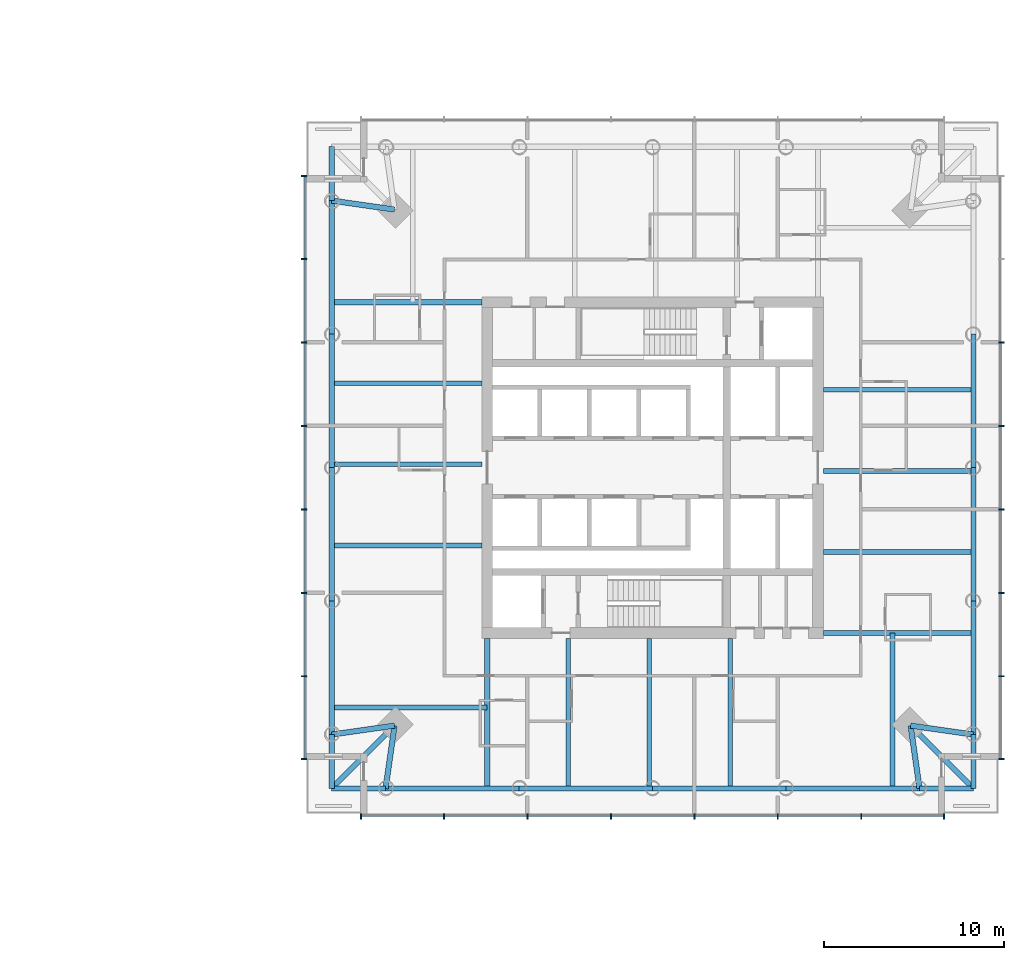
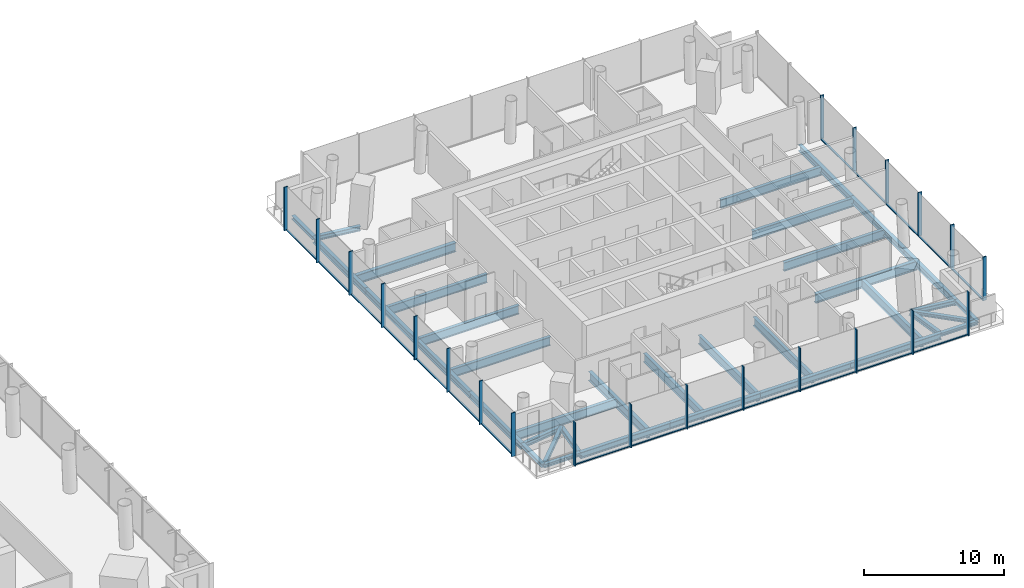
# One storey, part 6 of 21: 41 members, 37 beams, 3 elements without a shape of their own.
"""IFC4 building model written with IfcOpenShell, lengths in metres."""

import ifcopenshell
import ifcopenshell.guid

model = None  # the IFC model being written
_history = None  # IfcOwnerHistory: only IFC2X3 demands one
_inside = {}  # id of a spatial element -> (the spatial element, [elements in it])
_under = {}  # id of a project, library or spatial element -> (it, [spatial elements below it])
_declared = {}  # id of a project -> (the project, [libraries it declares])
_typed = {}  # id of a type object -> (the type object, [elements of that type])
_made_of = {}  # id of a material, layer set ... -> (it, [elements and type objects made of it])


def new_model(schema):
    """Start an empty IFC model of exactly this schema.

    Asked for "IFC4X3", IfcOpenShell would pick the latest addendum, in which some entities
    have other attributes; the version numbers below select the first issue.
    IFC2X3 requires an IfcOwnerHistory on every rooted entity: one is made here for all.
    """
    global model, _history
    if schema == "IFC4X3":
        model = ifcopenshell.file(schema_version=(4, 3, 0, 0))
    else:
        model = ifcopenshell.file(schema=schema)
    _inside.clear()
    _under.clear()
    _declared.clear()
    _typed.clear()
    _made_of.clear()
    _history = None
    if model.schema == "IFC2X3":
        org = make("IfcOrganization", Name="unknown")
        user = make(
            "IfcPersonAndOrganization",
            ThePerson=make("IfcPerson", FamilyName="unknown"),
            TheOrganization=org,
        )
        app = make(
            "IfcApplication",
            ApplicationDeveloper=org,
            Version="unknown",
            ApplicationFullName="unknown",
            ApplicationIdentifier="unknown",
        )
        _history = make(
            "IfcOwnerHistory",
            OwningUser=user,
            OwningApplication=app,
            ChangeAction="ADDED",
            CreationDate=0,
        )
    return model


def make(cls, **values):
    """One entity of the class cls with the attributes given. An attribute that is None is left unset."""
    return model.create_entity(
        cls, **{name: value for name, value in values.items() if value is not None}
    )


def rooted(cls, **values):
    """An entity with a GlobalId (a new one), such as an element, a storey or a relation."""
    return make(cls, GlobalId=ifcopenshell.guid.new(), OwnerHistory=_history, **values)


def si_unit(unit_type, name, prefix=None):
    """IfcSIUnit, for example si_unit("LENGTHUNIT", "METRE", prefix="MILLI")."""
    return make("IfcSIUnit", UnitType=unit_type, Prefix=prefix, Name=name)


def assignment(units):
    """IfcUnitAssignment: the units of a project."""
    return None if units is None else make("IfcUnitAssignment", Units=units)


def point(xyz):
    """IfcCartesianPoint."""
    return None if xyz is None else make("IfcCartesianPoint", Coordinates=xyz)


def direction(xyz):
    """IfcDirection."""
    return None if xyz is None else make("IfcDirection", DirectionRatios=xyz)


def frame(location, z_axis=None, x_axis=None):
    """IfcAxis2Placement3D, a coordinate frame: its origin and axes. An axis left out is left unset."""
    return make(
        "IfcAxis2Placement3D",
        Location=point(location),
        Axis=direction(z_axis),
        RefDirection=direction(x_axis),
    )


def frame_2d(location, x_axis=None):
    """IfcAxis2Placement2D, a coordinate frame in the plane: its origin and x axis."""
    return make(
        "IfcAxis2Placement2D", Location=point(location), RefDirection=direction(x_axis)
    )


def origin():
    """The frame at (0, 0, 0) with its axes left unset."""
    return frame((0.0, 0.0, 0.0))


def origin_2d():
    """The frame at (0, 0) in the plane with its x axis left unset."""
    return frame_2d((0.0, 0.0))


def place(relative_to, where):
    """IfcLocalPlacement: puts the frame where relative to a parent placement (None: the world)."""
    return make(
        "IfcLocalPlacement", PlacementRelTo=relative_to, RelativePlacement=where
    )


def context(
    kind, dimensions, precision=None, world=None, true_north=None, identifier=None
):
    """IfcGeometricRepresentationContext, for example the 3D "Model" context."""
    return make(
        "IfcGeometricRepresentationContext",
        ContextIdentifier=identifier,
        ContextType=kind,
        CoordinateSpaceDimension=dimensions,
        Precision=precision,
        WorldCoordinateSystem=world,
        TrueNorth=true_north,
    )


def subcontext(parent, identifier, kind, view, scale=None):
    """IfcGeometricRepresentationSubContext, for example "Body" below "Model"."""
    return make(
        "IfcGeometricRepresentationSubContext",
        ContextIdentifier=identifier,
        ContextType=kind,
        ParentContext=parent,
        TargetScale=scale,
        TargetView=view,
    )


def project(units=None, contexts=None):
    """IfcProject with its units and contexts."""
    return rooted(
        "IfcProject",
        Name="project",
        RepresentationContexts=contexts,
        UnitsInContext=assignment(units),
    )


def spatial(cls, under=None, at=None, **own):
    """A site, building, storey or space (cls), placed at a placement, below another one or the project."""
    s = rooted(cls, ObjectPlacement=at, **own)
    if under is not None:
        _under.setdefault(under.id(), (under, []))[1].append(s)
    return s


def profile(cls, at=None, kind="AREA", **sizes):
    """A parametric profile (cls). Its sizes go by their IFC names, for example OverallWidth=200.0."""
    return make(cls, ProfileType=kind, Position=at, **sizes)


def rectangle(**sizes):
    """IfcRectangleProfileDef."""
    return profile("IfcRectangleProfileDef", **sizes)


def i_section(**sizes):
    """IfcIShapeProfileDef."""
    return profile("IfcIShapeProfileDef", **sizes)


def extrude(swept, where, along, depth):
    """IfcExtrudedAreaSolid: the profile swept, set in the frame where, extruded along a direction by depth."""
    return make(
        "IfcExtrudedAreaSolid",
        SweptArea=swept,
        Position=where,
        ExtrudedDirection=direction(along),
        Depth=depth,
    )


def shape(context_of_items, identifier, shape_type, items):
    """IfcShapeRepresentation: the items that make up one representation, for example the "Body"."""
    return make(
        "IfcShapeRepresentation",
        ContextOfItems=context_of_items,
        RepresentationIdentifier=identifier,
        RepresentationType=shape_type,
        Items=items,
    )


def material(Name=None, Category=None):
    """IfcMaterial."""
    return make("IfcMaterial", Name=Name, Category=Category)


def material_profile(
    of_material, cross_section, Name=None, Category=None, Priority=None
):
    """IfcMaterialProfile: a cross section and its material."""
    return make(
        "IfcMaterialProfile",
        Name=Name,
        Material=of_material,
        Profile=cross_section,
        Priority=Priority,
        Category=Category,
    )


def profile_set(profiles, Name=None, composite=None):
    """IfcMaterialProfileSet."""
    return make(
        "IfcMaterialProfileSet",
        Name=Name,
        MaterialProfiles=profiles,
        CompositeProfile=composite,
    )


def made_of(thing, what):
    """Note that an element or type object is made of a material, layer set ...; save() writes the relation."""
    if what is not None:
        _made_of.setdefault(what.id(), (what, []))[1].append(thing)
    return thing


def type_object(cls, material=None, **own):
    """A type object (cls), such as IfcWallType, which elements share."""
    return made_of(rooted(cls, **own), material)


def element(
    cls,
    number,
    at=None,
    inside=None,
    cuts=None,
    type_object=None,
    material=None,
    context=None,
    identifier="Body",
    shape_type=None,
    held_by="IfcProductDefinitionShape",
    body=None,
    shapes=None,
    **own,
):
    """One element of the class cls, such as IfcWall. Its Tag is "e" and its number.

    at: its placement. inside: the storey or other place that contains it. cuts: it is an
    opening in that element (IfcRelVoidsElement). A single representation is given by context,
    identifier, shape_type and body (its items); several are given by shapes. held_by: the class
    of the entity that holds the representations. save() writes the other relations.
    """
    e = rooted(cls, Tag="e%d" % number, ObjectPlacement=at, **own)
    if body is not None:
        shapes = [shape(context, identifier, shape_type, body)]
    if shapes is not None:
        e.Representation = make(held_by, Representations=shapes)
    if inside is not None:
        _inside.setdefault(inside.id(), (inside, []))[1].append(e)
    if cuts is not None:
        rooted(
            "IfcRelVoidsElement", RelatingBuildingElement=cuts, RelatedOpeningElement=e
        )
    if type_object is not None:
        _typed.setdefault(type_object.id(), (type_object, []))[1].append(e)
    return made_of(e, material)


def aggregate(whole, parts):
    """IfcRelAggregates: a whole, such as a stair, and the parts it consists of."""
    return rooted("IfcRelAggregates", RelatingObject=whole, RelatedObjects=parts)


def save(model, path):
    """Write the relations noted so far, then the file.

    IfcRelAggregates (storeys below a building ...), IfcRelContainedInSpatialStructure (elements
    in a storey), IfcRelDefinesByType, IfcRelAssociatesMaterial and IfcRelDeclares: one each for
    every whole, place, type object, material and project.
    """
    for whole, parts in _under.values():
        aggregate(whole, parts)
    for where, things in _inside.values():
        rooted(
            "IfcRelContainedInSpatialStructure",
            RelatedElements=things,
            RelatingStructure=where,
        )
    for kind, things in _typed.values():
        rooted("IfcRelDefinesByType", RelatedObjects=things, RelatingType=kind)
    for what, things in _made_of.values():
        rooted("IfcRelAssociatesMaterial", RelatedObjects=things, RelatingMaterial=what)
    for by, libraries in _declared.values():
        rooted("IfcRelDeclares", RelatingContext=by, RelatedDefinitions=libraries)
    model.write(path)


model = new_model("IFC4")

# Units and contexts
model_context = context("Model", 3, precision=1e-05, world=origin(), true_north=direction((0.0, 1.0)))
body_context = subcontext(model_context, "Body", "Model", "MODEL_VIEW")
ifc_project = project(units=[si_unit("LENGTHUNIT", "METRE"), si_unit("AREAUNIT", "SQUARE_METRE"), si_unit("VOLUMEUNIT", "CUBIC_METRE"), si_unit("PLANEANGLEUNIT", "RADIAN"), si_unit("MASSUNIT", "GRAM", prefix="KILO")], contexts=[model_context])

# Site, building, storey
site_placement = place(None, origin())
site = spatial("IfcSite", under=ifc_project, at=site_placement, CompositionType="ELEMENT")
building_placement = place(site_placement, origin())
building = spatial("IfcBuilding", under=site, at=building_placement, Name="Ostroluk Exchange", CompositionType="ELEMENT")
storey_placement = place(building_placement, frame((0.0, 0.0, 47.60009765625)))
storey = spatial("IfcBuildingStorey", under=building, at=storey_placement, Name="L11", CompositionType="ELEMENT", Elevation=47.60009765625)

# Beams
ifc_material_1 = material(Name="Steel S355", Category="steel")
ifc_material_profile_1 = material_profile(ifc_material_1, i_section(OverallWidth=0.300048828125, OverallDepth=0.300048828125, WebThickness=0.010986328125, FlangeThickness=0.01904296875, FilletRadius=0.027099609375, at=origin_2d()), Name="HEB 300")
ifc_profile_set_1 = profile_set([ifc_material_profile_1], Name="Steel S355")
beam_type_1 = type_object("IfcBeamType", Name="Balcony beam HEB 300", PredefinedType="BEAM", material=ifc_profile_set_1)
for number, where, z_axis, x_axis, name in (
    (1, (99.146484375, 60.853515625, -0.35009765625), (0.0, 1.0, 0.0), (-1.0, 0.0, 0.0), "T2 north balcony beam b"),
    (2, (99.146484375, 31.146484375, -0.35009765625), (0.0, -1.0, 0.0), (1.0, 0.0, 0.0), "T2 west balcony beam a"),
    (3, (102.146484375, 28.146484375, -0.35009765625), (-1.0, 0.0, 0.0), (0.0, -1.0, 0.0), "T2 west balcony beam b"),
):
    element("IfcBeam", number, at=place(storey_placement, frame(where, z_axis=z_axis, x_axis=x_axis)), inside=storey, type_object=beam_type_1, Name=name, PredefinedType="BEAM", context=body_context, shape_type="SweptSolid", body=[
        extrude(i_section(OverallWidth=0.300048828125, OverallDepth=0.300048828125, WebThickness=0.010986328125, FlangeThickness=0.01904296875, FilletRadius=0.027099609375, at=origin_2d()), origin(), (0.0, 0.0, 1.0), 3.0),
    ])
beam_1_placement = place(storey_placement, frame((102.646484375, 31.646484375, -0.35009765625), z_axis=(-0.707106781187, -0.707106781187, 0.0), x_axis=(0.707106781187, -0.707106781187, 0.0)))
element("IfcBeam", 4, at=beam_1_placement, inside=storey, type_object=beam_type_1, Name="T2 west balcony beam c", PredefinedType="BEAM", context=body_context, shape_type="SweptSolid", body=[
    extrude(i_section(OverallWidth=0.300048828125, OverallDepth=0.300048828125, WebThickness=0.010986328125, FlangeThickness=0.01904296875, FilletRadius=0.027099609375, at=origin_2d()), origin(), (0.0, 0.0, 1.0), 4.94970703125),
])
for number, where, z_axis, x_axis, name in (
    (5, (131.853515625, 28.146484375, -0.35009765625), (1.0, 0.0, 0.0), (0.0, 1.0, 0.0), "T2 south balcony beam a"),
    (6, (134.853515625, 31.146484375, -0.35009765625), (0.0, -1.0, 0.0), (1.0, 0.0, 0.0), "T2 south balcony beam b"),
):
    element("IfcBeam", number, at=place(storey_placement, frame(where, z_axis=z_axis, x_axis=x_axis)), inside=storey, type_object=beam_type_1, Name=name, PredefinedType="BEAM", context=body_context, shape_type="SweptSolid", body=[
        extrude(i_section(OverallWidth=0.300048828125, OverallDepth=0.300048828125, WebThickness=0.010986328125, FlangeThickness=0.01904296875, FilletRadius=0.027099609375, at=origin_2d()), origin(), (0.0, 0.0, 1.0), 3.0),
    ])
beam_2_placement = place(storey_placement, frame((131.353515625, 31.646484375, -0.35009765625), z_axis=(0.707106781187, -0.707106781187, 0.0), x_axis=(0.707106781187, 0.707106781187, 0.0)))
element("IfcBeam", 7, at=beam_2_placement, inside=storey, type_object=beam_type_1, Name="T2 south balcony beam c", PredefinedType="BEAM", context=body_context, shape_type="SweptSolid", body=[
    extrude(i_section(OverallWidth=0.300048828125, OverallDepth=0.300048828125, WebThickness=0.010986328125, FlangeThickness=0.01904296875, FilletRadius=0.027099609375, at=origin_2d()), origin(), (0.0, 0.0, 1.0), 4.94970703125),
])
ifc_material_2 = material(Name="Steel S355", Category="steel")
ifc_material_profile_2 = material_profile(ifc_material_2, i_section(OverallWidth=0.300048828125, OverallDepth=0.39990234375, WebThickness=0.013427734375, FlangeThickness=0.02392578125, FilletRadius=0.027099609375, at=origin_2d()), Name="HEB 400")
ifc_profile_set_2 = profile_set([ifc_material_profile_2], Name="Steel S355")
beam_type_2 = type_object("IfcBeamType", Name="Corner edge beam HEB 400", PredefinedType="SPANDREL", material=ifc_profile_set_2)
for number, where, z_axis, x_axis, name in (
    (8, (102.646484375, 60.353515625, -0.400146484375), (-0.989949493661, 0.141421356237, 0.0), (-0.141421356237, -0.989949493661, 0.0), "T2 north corner edge beam b"),
    (9, (102.646484375, 31.646484375, -0.400146484375), (-0.989949493661, -0.141421356237, 0.0), (0.141421356237, -0.989949493661, 0.0), "T2 west corner edge beam a"),
    (10, (102.646484375, 31.646484375, -0.400146484375), (-0.141421356237, -0.989949493661, 0.0), (0.989949493661, -0.141421356237, 0.0), "T2 west corner edge beam b"),
    (11, (131.353515625, 31.646484375, -0.400146484375), (0.141421356237, -0.989949493661, 0.0), (0.989949493661, 0.141421356237, 0.0), "T2 south corner edge beam a"),
    (12, (131.353515625, 31.646484375, -0.400146484375), (0.989949493661, -0.141421356237, 0.0), (0.141421356237, 0.989949493661, 0.0), "T2 south corner edge beam b"),
):
    element("IfcBeam", number, at=place(storey_placement, frame(where, z_axis=z_axis, x_axis=x_axis)), inside=storey, type_object=beam_type_2, Name=name, PredefinedType="SPANDREL", context=body_context, shape_type="SweptSolid", body=[
        extrude(i_section(OverallWidth=0.300048828125, OverallDepth=0.39990234375, WebThickness=0.013427734375, FlangeThickness=0.02392578125, FilletRadius=0.027099609375, at=origin_2d()), origin(), (0.0, 0.0, 1.0), 3.53564453125),
    ])
ifc_material_3 = material(Name="Steel S355", Category="steel")
ifc_material_profile_3 = material_profile(ifc_material_3, i_section(OverallWidth=0.264892578125, OverallDepth=0.7529296875, WebThickness=0.01318359375, FlangeThickness=0.01708984375, FilletRadius=0.01708984375, at=origin_2d()), Name="IPE 750x147")
ifc_profile_set_3 = profile_set([ifc_material_profile_3], Name="Steel S355")
beam_type_3 = type_object("IfcBeamType", Name="Floor beam IPE 750x147", PredefinedType="BEAM", material=ifc_profile_set_3)
for number, where, z_axis, x_axis, name in (
    (13, (126.5, 41.308837890625, -0.57666015625), (1.0, 0.0, 0.0), (0.0, 1.0, 0.0), "T2 east floor beam 1"),
    (14, (126.5, 45.81787109375, -0.57666015625), (1.0, 0.0, 0.0), (0.0, 1.0, 0.0), "T2 east floor beam 2"),
    (15, (126.5, 50.32666015625, -0.57666015625), (1.0, 0.0, 0.0), (0.0, 1.0, 0.0), "T2 east floor beam 3"),
    (16, (107.5, 50.691162109375, -0.57666015625), (-1.0, 0.0, 0.0), (0.0, -1.0, 0.0), "T2 west floor beam 1"),
    (17, (107.5, 46.18212890625, -0.57666015625), (-1.0, 0.0, 0.0), (0.0, -1.0, 0.0), "T2 west floor beam 2"),
    (18, (107.5, 41.67333984375, -0.57666015625), (-1.0, 0.0, 0.0), (0.0, -1.0, 0.0), "T2 west floor beam 3"),
):
    element("IfcBeam", number, at=place(storey_placement, frame(where, z_axis=z_axis, x_axis=x_axis)), inside=storey, type_object=beam_type_3, Name=name, PredefinedType="BEAM", context=body_context, shape_type="SweptSolid", body=[
        extrude(i_section(OverallWidth=0.264892578125, OverallDepth=0.7529296875, WebThickness=0.01318359375, FlangeThickness=0.01708984375, FilletRadius=0.01708984375, at=origin_2d()), origin(), (0.0, 0.0, 1.0), 8.353515625),
    ])
beam_3_placement = place(storey_placement, frame((107.800048828125, 32.655517578125, -0.57666015625), z_axis=(-1.0, 0.0, 0.0), x_axis=(0.0, -1.0, 0.0)))
element("IfcBeam", 19, at=beam_3_placement, inside=storey, type_object=beam_type_3, Name="T2 west floor beam 5", PredefinedType="BEAM", context=body_context, shape_type="SweptSolid", body=[
    extrude(i_section(OverallWidth=0.264892578125, OverallDepth=0.7529296875, WebThickness=0.01318359375, FlangeThickness=0.01708984375, FilletRadius=0.01708984375, at=origin_2d()), origin(), (0.0, 0.0, 1.0), 8.653564453125),
])
for number, where, z_axis, x_axis, name in (
    (20, (112.308837890625, 36.5, -0.57666015625), (0.0, -1.0, 0.0), (1.0, 0.0, 0.0), "T2 south floor beam 1"),
    (21, (116.81787109375, 36.5, -0.57666015625), (0.0, -1.0, 0.0), (1.0, 0.0, 0.0), "T2 south floor beam 2"),
    (22, (121.32666015625, 36.5, -0.57666015625), (0.0, -1.0, 0.0), (1.0, 0.0, 0.0), "T2 south floor beam 3"),
):
    element("IfcBeam", number, at=place(storey_placement, frame(where, z_axis=z_axis, x_axis=x_axis)), inside=storey, type_object=beam_type_3, Name=name, PredefinedType="BEAM", context=body_context, shape_type="SweptSolid", body=[
        extrude(i_section(OverallWidth=0.264892578125, OverallDepth=0.7529296875, WebThickness=0.01318359375, FlangeThickness=0.01708984375, FilletRadius=0.01708984375, at=origin_2d()), origin(), (0.0, 0.0, 1.0), 8.353515625),
    ])
beam_4_placement = place(storey_placement, frame((130.344482421875, 36.800048828125, -0.57666015625), z_axis=(0.0, -1.0, 0.0), x_axis=(1.0, 0.0, 0.0)))
element("IfcBeam", 23, at=beam_4_placement, inside=storey, type_object=beam_type_3, Name="T2 south floor beam 5", PredefinedType="BEAM", context=body_context, shape_type="SweptSolid", body=[
    extrude(i_section(OverallWidth=0.264892578125, OverallDepth=0.7529296875, WebThickness=0.01318359375, FlangeThickness=0.01708984375, FilletRadius=0.01708984375, at=origin_2d()), origin(), (0.0, 0.0, 1.0), 8.653564453125),
])
ifc_material_4 = material(Name="Steel S355", Category="steel")
ifc_material_profile_4 = material_profile(ifc_material_4, i_section(OverallWidth=0.300048828125, OverallDepth=0.800048828125, WebThickness=0.017578125, FlangeThickness=0.032958984375, FilletRadius=0.030029296875, at=origin_2d()), Name="HEB 800")
ifc_profile_set_4 = profile_set([ifc_material_profile_4], Name="Steel S355")
beam_type_4 = type_object("IfcBeamType", Name="Girder HEB 800", PredefinedType="BEAM", material=ifc_profile_set_4)
for number, where, z_axis, x_axis, name in (
    (24, (107.5, 55.199951171875, -0.60009765625), (-1.0, 0.0, 0.0), (0.0, -1.0, 0.0), "T2 north girder"),
    (25, (107.800048828125, 36.5, -0.60009765625), (0.0, -1.0, 0.0), (1.0, 0.0, 0.0), "T2 west girder"),
    (26, (126.5, 36.800048828125, -0.60009765625), (1.0, 0.0, 0.0), (0.0, 1.0, 0.0), "T2 south girder"),
):
    element("IfcBeam", number, at=place(storey_placement, frame(where, z_axis=z_axis, x_axis=x_axis)), inside=storey, type_object=beam_type_4, Name=name, PredefinedType="BEAM", context=body_context, shape_type="SweptSolid", body=[
        extrude(i_section(OverallWidth=0.300048828125, OverallDepth=0.800048828125, WebThickness=0.017578125, FlangeThickness=0.032958984375, FilletRadius=0.030029296875, at=origin_2d()), origin(), (0.0, 0.0, 1.0), 8.353515625),
    ])
ifc_material_5 = material(Name="Steel S355", Category="steel")
ifc_material_profile_5 = material_profile(ifc_material_5, i_section(OverallWidth=0.300048828125, OverallDepth=0.550048828125, WebThickness=0.014892578125, FlangeThickness=0.029052734375, FilletRadius=0.027099609375, at=origin_2d()), Name="HEB 550")
ifc_profile_set_5 = profile_set([ifc_material_profile_5], Name="Steel S355")
beam_type_5 = type_object("IfcBeamType", Name="Moment-connected edge beam HEB 550", PredefinedType="SPANDREL", material=ifc_profile_set_5)
for number, where, z_axis, x_axis, name in (
    (27, (134.853515625, 31.146484375, -0.47509765625), (0.0, 1.0, 0.0), (-1.0, 0.0, 0.0), "T2 east edge beam 1"),
    (28, (134.853515625, 38.5732421875, -0.47509765625), (0.0, 1.0, 0.0), (-1.0, 0.0, 0.0), "T2 east edge beam 2"),
    (29, (134.853515625, 46.0, -0.47509765625), (0.0, 1.0, 0.0), (-1.0, 0.0, 0.0), "T2 east edge beam 3"),
    (30, (99.146484375, 60.853515625, -0.47509765625), (0.0, -1.0, 0.0), (1.0, 0.0, 0.0), "T2 west edge beam 1"),
    (31, (99.146484375, 53.4267578125, -0.47509765625), (0.0, -1.0, 0.0), (1.0, 0.0, 0.0), "T2 west edge beam 2"),
    (32, (99.146484375, 46.0, -0.47509765625), (0.0, -1.0, 0.0), (1.0, 0.0, 0.0), "T2 west edge beam 3"),
    (33, (99.146484375, 38.5732421875, -0.47509765625), (0.0, -1.0, 0.0), (1.0, 0.0, 0.0), "T2 west edge beam 4"),
    (34, (102.146484375, 28.146484375, -0.47509765625), (1.0, 0.0, 0.0), (0.0, 1.0, 0.0), "T2 south edge beam 1"),
    (35, (109.5732421875, 28.146484375, -0.47509765625), (1.0, 0.0, 0.0), (0.0, 1.0, 0.0), "T2 south edge beam 2"),
    (36, (117.0, 28.146484375, -0.47509765625), (1.0, 0.0, 0.0), (0.0, 1.0, 0.0), "T2 south edge beam 3"),
    (37, (124.4267578125, 28.146484375, -0.47509765625), (1.0, 0.0, 0.0), (0.0, 1.0, 0.0), "T2 south edge beam 4"),
):
    element("IfcBeam", number, at=place(storey_placement, frame(where, z_axis=z_axis, x_axis=x_axis)), inside=storey, type_object=beam_type_5, Name=name, PredefinedType="SPANDREL", context=body_context, shape_type="SweptSolid", body=[
        extrude(i_section(OverallWidth=0.300048828125, OverallDepth=0.550048828125, WebThickness=0.014892578125, FlangeThickness=0.029052734375, FilletRadius=0.027099609375, at=origin_2d()), origin(), (0.0, 0.0, 1.0), 7.4267578125),
    ])

# Curtain wall, members
ifc_material_6 = material(Name="Laminated clear glass", Category="glass")
curtain_wall_type = type_object("IfcCurtainWallType", Name="Hotel guest floor facade", PredefinedType="USERDEFINED", material=ifc_material_6)
curtain_wall_1_placement = place(storey_placement, origin())
curtain_wall_1 = element("IfcCurtainWall", 38, at=curtain_wall_1_placement, inside=storey, type_object=curtain_wall_type, Name="Hotel tower south facade L11", ObjectType="UNITISED CURTAIN WALL", PredefinedType="USERDEFINED")
ifc_material_7 = material(Name="Aluminium mullion", Category="aluminium")
ifc_material_profile_6 = material_profile(ifc_material_7, rectangle(XDim=0.14990234375, YDim=0.080078125, at=origin_2d()), Name="Sill transom 80 x 150")
ifc_profile_set_6 = profile_set([ifc_material_profile_6], Name="Aluminium mullion")
member_type_1 = type_object("IfcMemberType", Name="Sill transom 80 x 150", PredefinedType="USERDEFINED", material=ifc_profile_set_6)
member_1_placement = place(storey_placement, frame((100.830078125, 26.675048828125, 0.039794921875), z_axis=(1.0, 0.0, 0.0), x_axis=(0.0, 1.0, 0.0)))
member_1 = element("IfcMember", 39, at=member_1_placement, type_object=member_type_1, Name="CW-H1 transom 1.1", ObjectType="TRANSOM", PredefinedType="USERDEFINED", context=body_context, shape_type="SweptSolid", body=[
    extrude(rectangle(XDim=0.14990234375, YDim=0.080078125, at=origin_2d()), origin(), (0.0, 0.0, 1.0), 4.522705078125),
])
member_2_placement = place(storey_placement, frame((105.432861328125, 26.675048828125, 0.039794921875), z_axis=(1.0, 0.0, 0.0), x_axis=(0.0, 1.0, 0.0)))
member_2 = element("IfcMember", 40, at=member_2_placement, type_object=member_type_1, Name="CW-H1 transom 2.1", ObjectType="TRANSOM", PredefinedType="USERDEFINED", context=body_context, shape_type="SweptSolid", body=[
    extrude(rectangle(XDim=0.14990234375, YDim=0.080078125, at=origin_2d()), origin(), (0.0, 0.0, 1.0), 4.562744140625),
])
member_3_placement = place(storey_placement, frame((110.07568359375, 26.675048828125, 0.039794921875), z_axis=(1.0, 0.0, 0.0), x_axis=(0.0, 1.0, 0.0)))
member_3 = element("IfcMember", 41, at=member_3_placement, type_object=member_type_1, Name="CW-H1 transom 3.1", ObjectType="TRANSOM", PredefinedType="USERDEFINED", context=body_context, shape_type="SweptSolid", body=[
    extrude(rectangle(XDim=0.14990234375, YDim=0.080078125, at=origin_2d()), origin(), (0.0, 0.0, 1.0), 4.56298828125),
])
member_4_placement = place(storey_placement, frame((114.718505859375, 26.675048828125, 0.039794921875), z_axis=(1.0, 0.0, 0.0), x_axis=(0.0, 1.0, 0.0)))
member_4 = element("IfcMember", 42, at=member_4_placement, type_object=member_type_1, Name="CW-H1 transom 4.1", ObjectType="TRANSOM", PredefinedType="USERDEFINED", context=body_context, shape_type="SweptSolid", body=[
    extrude(rectangle(XDim=0.14990234375, YDim=0.080078125, at=origin_2d()), origin(), (0.0, 0.0, 1.0), 4.56298828125),
])
member_5_placement = place(storey_placement, frame((119.361328125, 26.675048828125, 0.039794921875), z_axis=(1.0, 0.0, 0.0), x_axis=(0.0, 1.0, 0.0)))
member_5 = element("IfcMember", 43, at=member_5_placement, type_object=member_type_1, Name="CW-H1 transom 5.1", ObjectType="TRANSOM", PredefinedType="USERDEFINED", context=body_context, shape_type="SweptSolid", body=[
    extrude(rectangle(XDim=0.14990234375, YDim=0.080078125, at=origin_2d()), origin(), (0.0, 0.0, 1.0), 4.56298828125),
])
member_6_placement = place(storey_placement, frame((124.00439453125, 26.675048828125, 0.039794921875), z_axis=(1.0, 0.0, 0.0), x_axis=(0.0, 1.0, 0.0)))
member_6 = element("IfcMember", 44, at=member_6_placement, type_object=member_type_1, Name="CW-H1 transom 6.1", ObjectType="TRANSOM", PredefinedType="USERDEFINED", context=body_context, shape_type="SweptSolid", body=[
    extrude(rectangle(XDim=0.14990234375, YDim=0.080078125, at=origin_2d()), origin(), (0.0, 0.0, 1.0), 4.562744140625),
])
member_7_placement = place(storey_placement, frame((128.647216796875, 26.675048828125, 0.039794921875), z_axis=(1.0, 0.0, 0.0), x_axis=(0.0, 1.0, 0.0)))
member_7 = element("IfcMember", 45, at=member_7_placement, type_object=member_type_1, Name="CW-H1 transom 7.1", ObjectType="TRANSOM", PredefinedType="USERDEFINED", context=body_context, shape_type="SweptSolid", body=[
    extrude(rectangle(XDim=0.14990234375, YDim=0.080078125, at=origin_2d()), origin(), (0.0, 0.0, 1.0), 4.522705078125),
])

curtain_wall_2_placement = place(storey_placement, origin())
curtain_wall_2 = element("IfcCurtainWall", 46, at=curtain_wall_2_placement, inside=storey, type_object=curtain_wall_type, Name="Hotel tower east facade L11", ObjectType="UNITISED CURTAIN WALL", PredefinedType="USERDEFINED")
member_8_placement = place(storey_placement, frame((136.324951171875, 29.830078125, 0.039794921875), z_axis=(0.0, 1.0, 0.0), x_axis=(-1.0, 0.0, 0.0)))
member_8 = element("IfcMember", 47, at=member_8_placement, type_object=member_type_1, Name="CW-H1 transom 1.1", ObjectType="TRANSOM", PredefinedType="USERDEFINED", context=body_context, shape_type="SweptSolid", body=[
    extrude(rectangle(XDim=0.14990234375, YDim=0.080078125, at=origin_2d()), origin(), (0.0, 0.0, 1.0), 4.522705078125),
])
member_9_placement = place(storey_placement, frame((136.324951171875, 34.432861328125, 0.039794921875), z_axis=(0.0, 1.0, 0.0), x_axis=(-1.0, 0.0, 0.0)))
member_9 = element("IfcMember", 48, at=member_9_placement, type_object=member_type_1, Name="CW-H1 transom 2.1", ObjectType="TRANSOM", PredefinedType="USERDEFINED", context=body_context, shape_type="SweptSolid", body=[
    extrude(rectangle(XDim=0.14990234375, YDim=0.080078125, at=origin_2d()), origin(), (0.0, 0.0, 1.0), 4.562744140625),
])
member_10_placement = place(storey_placement, frame((136.324951171875, 39.07568359375, 0.039794921875), z_axis=(0.0, 1.0, 0.0), x_axis=(-1.0, 0.0, 0.0)))
member_10 = element("IfcMember", 49, at=member_10_placement, type_object=member_type_1, Name="CW-H1 transom 3.1", ObjectType="TRANSOM", PredefinedType="USERDEFINED", context=body_context, shape_type="SweptSolid", body=[
    extrude(rectangle(XDim=0.14990234375, YDim=0.080078125, at=origin_2d()), origin(), (0.0, 0.0, 1.0), 4.56298828125),
])
member_11_placement = place(storey_placement, frame((136.324951171875, 43.718505859375, 0.039794921875), z_axis=(0.0, 1.0, 0.0), x_axis=(-1.0, 0.0, 0.0)))
member_11 = element("IfcMember", 50, at=member_11_placement, type_object=member_type_1, Name="CW-H1 transom 4.1", ObjectType="TRANSOM", PredefinedType="USERDEFINED", context=body_context, shape_type="SweptSolid", body=[
    extrude(rectangle(XDim=0.14990234375, YDim=0.080078125, at=origin_2d()), origin(), (0.0, 0.0, 1.0), 4.56298828125),
])
member_12_placement = place(storey_placement, frame((136.324951171875, 48.361328125, 0.039794921875), z_axis=(0.0, 1.0, 0.0), x_axis=(-1.0, 0.0, 0.0)))
member_12 = element("IfcMember", 51, at=member_12_placement, type_object=member_type_1, Name="CW-H1 transom 5.1", ObjectType="TRANSOM", PredefinedType="USERDEFINED", context=body_context, shape_type="SweptSolid", body=[
    extrude(rectangle(XDim=0.14990234375, YDim=0.080078125, at=origin_2d()), origin(), (0.0, 0.0, 1.0), 4.56298828125),
])

curtain_wall_3_placement = place(storey_placement, origin())
curtain_wall_3 = element("IfcCurtainWall", 52, at=curtain_wall_3_placement, inside=storey, type_object=curtain_wall_type, Name="Hotel tower west facade L11", ObjectType="UNITISED CURTAIN WALL", PredefinedType="USERDEFINED")
member_13_placement = place(storey_placement, frame((97.675048828125, 62.169921875, 0.039794921875), z_axis=(0.0, -1.0, 0.0), x_axis=(1.0, 0.0, 0.0)))
member_13 = element("IfcMember", 53, at=member_13_placement, type_object=member_type_1, Name="CW-H1 transom 1.1", ObjectType="TRANSOM", PredefinedType="USERDEFINED", context=body_context, shape_type="SweptSolid", body=[
    extrude(rectangle(XDim=0.14990234375, YDim=0.080078125, at=origin_2d()), origin(), (0.0, 0.0, 1.0), 4.522705078125),
])
member_14_placement = place(storey_placement, frame((97.675048828125, 57.567138671875, 0.039794921875), z_axis=(0.0, -1.0, 0.0), x_axis=(1.0, 0.0, 0.0)))
member_14 = element("IfcMember", 54, at=member_14_placement, type_object=member_type_1, Name="CW-H1 transom 2.1", ObjectType="TRANSOM", PredefinedType="USERDEFINED", context=body_context, shape_type="SweptSolid", body=[
    extrude(rectangle(XDim=0.14990234375, YDim=0.080078125, at=origin_2d()), origin(), (0.0, 0.0, 1.0), 4.562744140625),
])
member_15_placement = place(storey_placement, frame((97.675048828125, 52.92431640625, 0.039794921875), z_axis=(0.0, -1.0, 0.0), x_axis=(1.0, 0.0, 0.0)))
member_15 = element("IfcMember", 55, at=member_15_placement, type_object=member_type_1, Name="CW-H1 transom 3.1", ObjectType="TRANSOM", PredefinedType="USERDEFINED", context=body_context, shape_type="SweptSolid", body=[
    extrude(rectangle(XDim=0.14990234375, YDim=0.080078125, at=origin_2d()), origin(), (0.0, 0.0, 1.0), 4.56298828125),
])
member_16_placement = place(storey_placement, frame((97.675048828125, 48.281494140625, 0.039794921875), z_axis=(0.0, -1.0, 0.0), x_axis=(1.0, 0.0, 0.0)))
member_16 = element("IfcMember", 56, at=member_16_placement, type_object=member_type_1, Name="CW-H1 transom 4.1", ObjectType="TRANSOM", PredefinedType="USERDEFINED", context=body_context, shape_type="SweptSolid", body=[
    extrude(rectangle(XDim=0.14990234375, YDim=0.080078125, at=origin_2d()), origin(), (0.0, 0.0, 1.0), 4.56298828125),
])
member_17_placement = place(storey_placement, frame((97.675048828125, 43.638671875, 0.039794921875), z_axis=(0.0, -1.0, 0.0), x_axis=(1.0, 0.0, 0.0)))
member_17 = element("IfcMember", 57, at=member_17_placement, type_object=member_type_1, Name="CW-H1 transom 5.1", ObjectType="TRANSOM", PredefinedType="USERDEFINED", context=body_context, shape_type="SweptSolid", body=[
    extrude(rectangle(XDim=0.14990234375, YDim=0.080078125, at=origin_2d()), origin(), (0.0, 0.0, 1.0), 4.56298828125),
])
member_18_placement = place(storey_placement, frame((97.675048828125, 38.99560546875, 0.039794921875), z_axis=(0.0, -1.0, 0.0), x_axis=(1.0, 0.0, 0.0)))
member_18 = element("IfcMember", 58, at=member_18_placement, type_object=member_type_1, Name="CW-H1 transom 6.1", ObjectType="TRANSOM", PredefinedType="USERDEFINED", context=body_context, shape_type="SweptSolid", body=[
    extrude(rectangle(XDim=0.14990234375, YDim=0.080078125, at=origin_2d()), origin(), (0.0, 0.0, 1.0), 4.562744140625),
])
member_19_placement = place(storey_placement, frame((97.675048828125, 34.352783203125, 0.039794921875), z_axis=(0.0, -1.0, 0.0), x_axis=(1.0, 0.0, 0.0)))
member_19 = element("IfcMember", 59, at=member_19_placement, type_object=member_type_1, Name="CW-H1 transom 7.1", ObjectType="TRANSOM", PredefinedType="USERDEFINED", context=body_context, shape_type="SweptSolid", body=[
    extrude(rectangle(XDim=0.14990234375, YDim=0.080078125, at=origin_2d()), origin(), (0.0, 0.0, 1.0), 4.522705078125),
])

# Member
ifc_material_8 = material(Name="Aluminium mullion with limestone facing", Category="masonry")
ifc_material_profile_7 = material_profile(ifc_material_8, rectangle(XDim=0.300048828125, YDim=0.080078125, at=origin_2d()), Name="Tracery mullion 80 x 300")
ifc_profile_set_7 = profile_set([ifc_material_profile_7], Name="Aluminium mullion with limestone facing")
member_type_2 = type_object("IfcMemberType", Name="Tracery mullion 80 x 300", PredefinedType="MULLION", material=ifc_profile_set_7)
member_20_placement = place(storey_placement, frame((100.7900390625, 26.60009765625, 0.0), z_axis=(0.0, 0.0, 1.0), x_axis=(0.0, 1.0, 0.0)))
member_20 = element("IfcMember", 60, at=member_20_placement, type_object=member_type_2, Name="CW-H1 mullion 1", PredefinedType="MULLION", context=body_context, shape_type="SweptSolid", body=[
    extrude(rectangle(XDim=0.300048828125, YDim=0.080078125, at=origin_2d()), origin(), (0.0, 0.0, 1.0), 3.7998046875),
])

member_21_placement = place(storey_placement, frame((105.392822265625, 26.60009765625, 0.0), z_axis=(0.0, 0.0, 1.0), x_axis=(0.0, 1.0, 0.0)))
member_21 = element("IfcMember", 61, at=member_21_placement, type_object=member_type_2, Name="CW-H1 mullion 2", PredefinedType="MULLION", context=body_context, shape_type="SweptSolid", body=[
    extrude(rectangle(XDim=0.300048828125, YDim=0.080078125, at=origin_2d()), origin(), (0.0, 0.0, 1.0), 3.7998046875),
])

member_22_placement = place(storey_placement, frame((110.03564453125, 26.60009765625, 0.0), z_axis=(0.0, 0.0, 1.0), x_axis=(0.0, 1.0, 0.0)))
member_22 = element("IfcMember", 62, at=member_22_placement, type_object=member_type_2, Name="CW-H1 mullion 3", PredefinedType="MULLION", context=body_context, shape_type="SweptSolid", body=[
    extrude(rectangle(XDim=0.300048828125, YDim=0.080078125, at=origin_2d()), origin(), (0.0, 0.0, 1.0), 3.7998046875),
])

member_23_placement = place(storey_placement, frame((114.678466796875, 26.60009765625, 0.0), z_axis=(0.0, 0.0, 1.0), x_axis=(0.0, 1.0, 0.0)))
member_23 = element("IfcMember", 63, at=member_23_placement, type_object=member_type_2, Name="CW-H1 mullion 4", PredefinedType="MULLION", context=body_context, shape_type="SweptSolid", body=[
    extrude(rectangle(XDim=0.300048828125, YDim=0.080078125, at=origin_2d()), origin(), (0.0, 0.0, 1.0), 3.7998046875),
])

member_24_placement = place(storey_placement, frame((119.321533203125, 26.60009765625, 0.0), z_axis=(0.0, 0.0, 1.0), x_axis=(0.0, 1.0, 0.0)))
member_24 = element("IfcMember", 64, at=member_24_placement, type_object=member_type_2, Name="CW-H1 mullion 5", PredefinedType="MULLION", context=body_context, shape_type="SweptSolid", body=[
    extrude(rectangle(XDim=0.300048828125, YDim=0.080078125, at=origin_2d()), origin(), (0.0, 0.0, 1.0), 3.7998046875),
])

member_25_placement = place(storey_placement, frame((123.96435546875, 26.60009765625, 0.0), z_axis=(0.0, 0.0, 1.0), x_axis=(0.0, 1.0, 0.0)))
member_25 = element("IfcMember", 65, at=member_25_placement, type_object=member_type_2, Name="CW-H1 mullion 6", PredefinedType="MULLION", context=body_context, shape_type="SweptSolid", body=[
    extrude(rectangle(XDim=0.300048828125, YDim=0.080078125, at=origin_2d()), origin(), (0.0, 0.0, 1.0), 3.7998046875),
])

member_26_placement = place(storey_placement, frame((128.607177734375, 26.60009765625, 0.0), z_axis=(0.0, 0.0, 1.0), x_axis=(0.0, 1.0, 0.0)))
member_26 = element("IfcMember", 66, at=member_26_placement, type_object=member_type_2, Name="CW-H1 mullion 7", PredefinedType="MULLION", context=body_context, shape_type="SweptSolid", body=[
    extrude(rectangle(XDim=0.300048828125, YDim=0.080078125, at=origin_2d()), origin(), (0.0, 0.0, 1.0), 3.7998046875),
])

member_27_placement = place(storey_placement, frame((133.2099609375, 26.60009765625, 0.0), z_axis=(0.0, 0.0, 1.0), x_axis=(0.0, 1.0, 0.0)))
member_27 = element("IfcMember", 67, at=member_27_placement, type_object=member_type_2, Name="CW-H1 mullion 8", PredefinedType="MULLION", context=body_context, shape_type="SweptSolid", body=[
    extrude(rectangle(XDim=0.300048828125, YDim=0.080078125, at=origin_2d()), origin(), (0.0, 0.0, 1.0), 3.7998046875),
])

aggregate(curtain_wall_1, [member_20, member_21, member_22, member_23, member_24, member_25, member_26, member_27, member_1, member_2, member_3, member_4, member_5, member_6, member_7])

member_28_placement = place(storey_placement, frame((136.39990234375, 29.7900390625, 0.0), z_axis=(0.0, 0.0, 1.0), x_axis=(-1.0, 0.0, 0.0)))
member_28 = element("IfcMember", 68, at=member_28_placement, type_object=member_type_2, Name="CW-H1 mullion 1", PredefinedType="MULLION", context=body_context, shape_type="SweptSolid", body=[
    extrude(rectangle(XDim=0.300048828125, YDim=0.080078125, at=origin_2d()), origin(), (0.0, 0.0, 1.0), 3.7998046875),
])

member_29_placement = place(storey_placement, frame((136.39990234375, 34.392822265625, 0.0), z_axis=(0.0, 0.0, 1.0), x_axis=(-1.0, 0.0, 0.0)))
member_29 = element("IfcMember", 69, at=member_29_placement, type_object=member_type_2, Name="CW-H1 mullion 2", PredefinedType="MULLION", context=body_context, shape_type="SweptSolid", body=[
    extrude(rectangle(XDim=0.300048828125, YDim=0.080078125, at=origin_2d()), origin(), (0.0, 0.0, 1.0), 3.7998046875),
])

member_30_placement = place(storey_placement, frame((136.39990234375, 39.03564453125, 0.0), z_axis=(0.0, 0.0, 1.0), x_axis=(-1.0, 0.0, 0.0)))
member_30 = element("IfcMember", 70, at=member_30_placement, type_object=member_type_2, Name="CW-H1 mullion 3", PredefinedType="MULLION", context=body_context, shape_type="SweptSolid", body=[
    extrude(rectangle(XDim=0.300048828125, YDim=0.080078125, at=origin_2d()), origin(), (0.0, 0.0, 1.0), 3.7998046875),
])

member_31_placement = place(storey_placement, frame((136.39990234375, 43.678466796875, 0.0), z_axis=(0.0, 0.0, 1.0), x_axis=(-1.0, 0.0, 0.0)))
member_31 = element("IfcMember", 71, at=member_31_placement, type_object=member_type_2, Name="CW-H1 mullion 4", PredefinedType="MULLION", context=body_context, shape_type="SweptSolid", body=[
    extrude(rectangle(XDim=0.300048828125, YDim=0.080078125, at=origin_2d()), origin(), (0.0, 0.0, 1.0), 3.7998046875),
])

member_32_placement = place(storey_placement, frame((136.39990234375, 48.321533203125, 0.0), z_axis=(0.0, 0.0, 1.0), x_axis=(-1.0, 0.0, 0.0)))
member_32 = element("IfcMember", 72, at=member_32_placement, type_object=member_type_2, Name="CW-H1 mullion 5", PredefinedType="MULLION", context=body_context, shape_type="SweptSolid", body=[
    extrude(rectangle(XDim=0.300048828125, YDim=0.080078125, at=origin_2d()), origin(), (0.0, 0.0, 1.0), 3.7998046875),
])

member_33_placement = place(storey_placement, frame((136.39990234375, 52.96435546875, 0.0), z_axis=(0.0, 0.0, 1.0), x_axis=(-1.0, 0.0, 0.0)))
member_33 = element("IfcMember", 73, at=member_33_placement, type_object=member_type_2, Name="CW-H1 mullion 6", PredefinedType="MULLION", context=body_context, shape_type="SweptSolid", body=[
    extrude(rectangle(XDim=0.300048828125, YDim=0.080078125, at=origin_2d()), origin(), (0.0, 0.0, 1.0), 3.7998046875),
])

aggregate(curtain_wall_2, [member_28, member_29, member_30, member_31, member_32, member_33, member_8, member_9, member_10, member_11, member_12])

member_34_placement = place(storey_placement, frame((97.60009765625, 62.2099609375, 0.0), z_axis=(0.0, 0.0, 1.0), x_axis=(1.0, 0.0, 0.0)))
member_34 = element("IfcMember", 74, at=member_34_placement, type_object=member_type_2, Name="CW-H1 mullion 1", PredefinedType="MULLION", context=body_context, shape_type="SweptSolid", body=[
    extrude(rectangle(XDim=0.300048828125, YDim=0.080078125, at=origin_2d()), origin(), (0.0, 0.0, 1.0), 3.7998046875),
])

member_35_placement = place(storey_placement, frame((97.60009765625, 57.607177734375, 0.0), z_axis=(0.0, 0.0, 1.0), x_axis=(1.0, 0.0, 0.0)))
member_35 = element("IfcMember", 75, at=member_35_placement, type_object=member_type_2, Name="CW-H1 mullion 2", PredefinedType="MULLION", context=body_context, shape_type="SweptSolid", body=[
    extrude(rectangle(XDim=0.300048828125, YDim=0.080078125, at=origin_2d()), origin(), (0.0, 0.0, 1.0), 3.7998046875),
])

member_36_placement = place(storey_placement, frame((97.60009765625, 52.96435546875, 0.0), z_axis=(0.0, 0.0, 1.0), x_axis=(1.0, 0.0, 0.0)))
member_36 = element("IfcMember", 76, at=member_36_placement, type_object=member_type_2, Name="CW-H1 mullion 3", PredefinedType="MULLION", context=body_context, shape_type="SweptSolid", body=[
    extrude(rectangle(XDim=0.300048828125, YDim=0.080078125, at=origin_2d()), origin(), (0.0, 0.0, 1.0), 3.7998046875),
])

member_37_placement = place(storey_placement, frame((97.60009765625, 48.321533203125, 0.0), z_axis=(0.0, 0.0, 1.0), x_axis=(1.0, 0.0, 0.0)))
member_37 = element("IfcMember", 77, at=member_37_placement, type_object=member_type_2, Name="CW-H1 mullion 4", PredefinedType="MULLION", context=body_context, shape_type="SweptSolid", body=[
    extrude(rectangle(XDim=0.300048828125, YDim=0.080078125, at=origin_2d()), origin(), (0.0, 0.0, 1.0), 3.7998046875),
])

member_38_placement = place(storey_placement, frame((97.60009765625, 43.678466796875, 0.0), z_axis=(0.0, 0.0, 1.0), x_axis=(1.0, 0.0, 0.0)))
member_38 = element("IfcMember", 78, at=member_38_placement, type_object=member_type_2, Name="CW-H1 mullion 5", PredefinedType="MULLION", context=body_context, shape_type="SweptSolid", body=[
    extrude(rectangle(XDim=0.300048828125, YDim=0.080078125, at=origin_2d()), origin(), (0.0, 0.0, 1.0), 3.7998046875),
])

member_39_placement = place(storey_placement, frame((97.60009765625, 39.03564453125, 0.0), z_axis=(0.0, 0.0, 1.0), x_axis=(1.0, 0.0, 0.0)))
member_39 = element("IfcMember", 79, at=member_39_placement, type_object=member_type_2, Name="CW-H1 mullion 6", PredefinedType="MULLION", context=body_context, shape_type="SweptSolid", body=[
    extrude(rectangle(XDim=0.300048828125, YDim=0.080078125, at=origin_2d()), origin(), (0.0, 0.0, 1.0), 3.7998046875),
])

member_40_placement = place(storey_placement, frame((97.60009765625, 34.392822265625, 0.0), z_axis=(0.0, 0.0, 1.0), x_axis=(1.0, 0.0, 0.0)))
member_40 = element("IfcMember", 80, at=member_40_placement, type_object=member_type_2, Name="CW-H1 mullion 7", PredefinedType="MULLION", context=body_context, shape_type="SweptSolid", body=[
    extrude(rectangle(XDim=0.300048828125, YDim=0.080078125, at=origin_2d()), origin(), (0.0, 0.0, 1.0), 3.7998046875),
])

member_41_placement = place(storey_placement, frame((97.60009765625, 29.7900390625, 0.0), z_axis=(0.0, 0.0, 1.0), x_axis=(1.0, 0.0, 0.0)))
member_41 = element("IfcMember", 81, at=member_41_placement, type_object=member_type_2, Name="CW-H1 mullion 8", PredefinedType="MULLION", context=body_context, shape_type="SweptSolid", body=[
    extrude(rectangle(XDim=0.300048828125, YDim=0.080078125, at=origin_2d()), origin(), (0.0, 0.0, 1.0), 3.7998046875),
])

aggregate(curtain_wall_3, [member_34, member_35, member_36, member_37, member_38, member_39, member_40, member_41, member_13, member_14, member_15, member_16, member_17, member_18, member_19])

save(model, "model.ifc")
